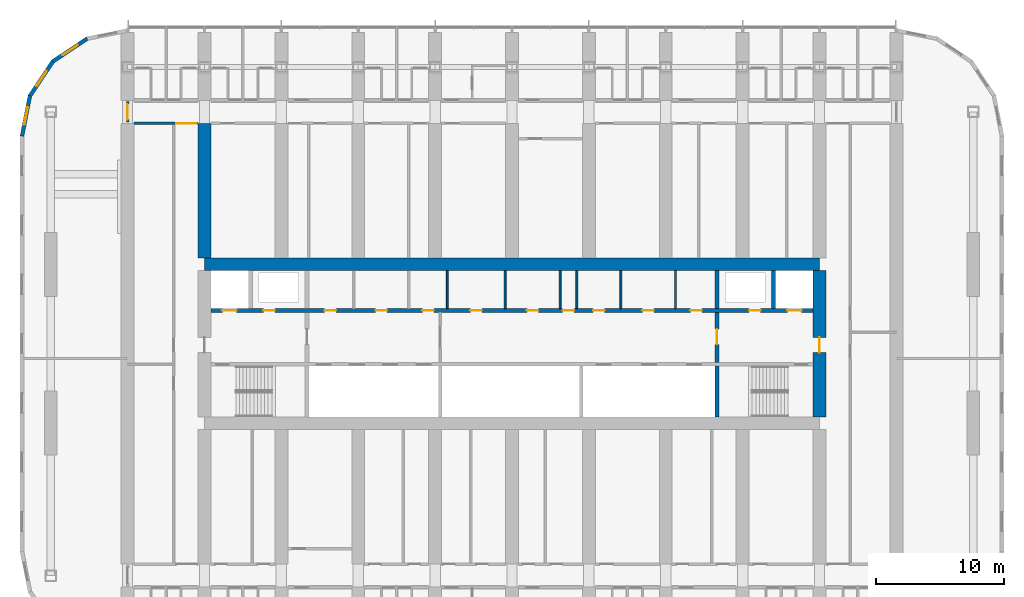
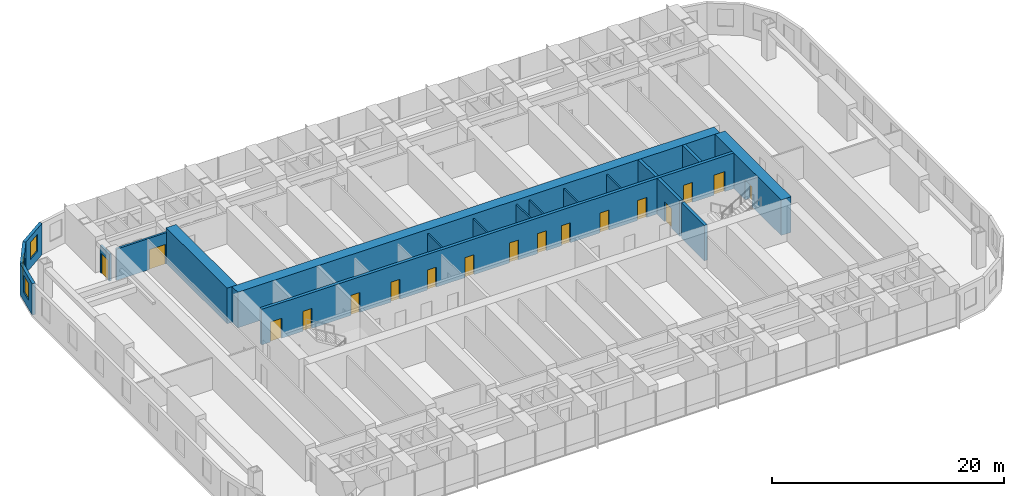
# One storey, part 14 of 24: 19 walls, 17 doors, 3 windows, 20 openings.
"""IFC4 building model written with IfcOpenShell, lengths in metres."""

from ifc_helpers import new_model, si_unit, direction, frame, frame_2d, origin, place, context, subcontext, project, spatial, polyline, rectangle, outline, extrude, material, layer, layer_set, type_object, element, fill, save


model = new_model("IFC4")

# Units and contexts
model_context = context("Model", 3, precision=1e-05, world=origin(), true_north=direction((0.0, 1.0)))
body_context = subcontext(model_context, "Body", "Model", "MODEL_VIEW")
ifc_project = project(units=[si_unit("LENGTHUNIT", "METRE"), si_unit("AREAUNIT", "SQUARE_METRE"), si_unit("VOLUMEUNIT", "CUBIC_METRE"), si_unit("PLANEANGLEUNIT", "RADIAN"), si_unit("MASSUNIT", "GRAM", prefix="KILO")], contexts=[model_context])

# Site, building, storey
site_placement = place(None, origin())
site = spatial("IfcSite", under=ifc_project, at=site_placement, CompositionType="ELEMENT")
building_placement = place(site_placement, origin())
building = spatial("IfcBuilding", under=site, at=building_placement, Name="Orbita Commons", CompositionType="ELEMENT")
storey_placement = place(building_placement, frame((0.0, 0.0, 20.199951171875)))
storey = spatial("IfcBuildingStorey", under=building, at=storey_placement, Name="L04", CompositionType="ELEMENT", Elevation=20.199951171875)

# Wall, openings, doors
ifc_material_1 = material(Name="Concrete C50/60", Category="concrete")
ifc_layer_1 = layer(ifc_material_1, 0.300048828125)
ifc_layer_set_1 = layer_set([ifc_layer_1], Name="Concrete C50/60")
wall_type_1 = type_object("IfcWallType", Name="Core inner wall 300 C50/60", PredefinedType="SHEAR", material=ifc_layer_set_1)
wall_1_placement = place(storey_placement, frame((18.5, 34.60009765625, 0.0), z_axis=(0.0, 0.0, 1.0), x_axis=(1.0, 0.0, 0.0)))
wall_1 = element("IfcWall", 1, at=wall_1_placement, inside=storey, type_object=wall_type_1, Name="Lobby wall north L04", PredefinedType="SHEAR", context=body_context, shape_type="SweptSolid", body=[
    extrude(rectangle(XDim=47.0, YDim=0.300048828125, at=frame_2d((23.5, 0.0))), origin(), (0.0, 0.0, 1.0), 3.75),
])
opening_1_placement = place(wall_1_placement, frame((0.89990234375, 0.0, 0.0)))
opening_1 = element("IfcOpeningElement", 2, at=opening_1_placement, cuts=wall_1, Name="Opening LD01", PredefinedType="OPENING", context=body_context, shape_type="SweptSolid", body=[
    extrude(rectangle(XDim=1.10009765625, YDim=2.10009765625, at=frame_2d((0.550048828125, 1.050048828125))), frame((0.0, 0.159912109375, 0.0), z_axis=(0.0, -1.0, 0.0), x_axis=(1.0, 0.0, 0.0)), (0.0, 0.0, 1.0), 0.320068359375),
])
opening_2_placement = place(wall_1_placement, frame((45.0, 0.0, 0.0)))
opening_2 = element("IfcOpeningElement", 3, at=opening_2_placement, cuts=wall_1, Name="Opening LD01", PredefinedType="OPENING", context=body_context, shape_type="SweptSolid", body=[
    extrude(rectangle(XDim=1.10009765625, YDim=2.10009765625, at=frame_2d((0.550048828125, 1.050048828125))), frame((0.0, 0.159912109375, 0.0), z_axis=(0.0, -1.0, 0.0), x_axis=(1.0, 0.0, 0.0)), (0.0, 0.0, 1.0), 0.320068359375),
])
opening_3_placement = place(wall_1_placement, frame((4.10009765625, 0.0, 0.0)))
opening_3 = element("IfcOpeningElement", 4, at=opening_3_placement, cuts=wall_1, Name="Opening D03", PredefinedType="OPENING", context=body_context, shape_type="SweptSolid", body=[
    extrude(rectangle(XDim=0.89990234375, YDim=2.10009765625, at=frame_2d((0.449951171875, 1.050048828125))), frame((0.0, 0.159912109375, 0.0), z_axis=(0.0, -1.0, 0.0), x_axis=(1.0, 0.0, 0.0)), (0.0, 0.0, 1.0), 0.320068359375),
])
opening_4_placement = place(wall_1_placement, frame((42.0, 0.0, 0.0)))
opening_4 = element("IfcOpeningElement", 5, at=opening_4_placement, cuts=wall_1, Name="Opening D03", PredefinedType="OPENING", context=body_context, shape_type="SweptSolid", body=[
    extrude(rectangle(XDim=0.89990234375, YDim=2.10009765625, at=frame_2d((0.449951171875, 1.050048828125))), frame((0.0, 0.159912109375, 0.0), z_axis=(0.0, -1.0, 0.0), x_axis=(1.0, 0.0, 0.0)), (0.0, 0.0, 1.0), 0.320068359375),
])
opening_5_placement = place(wall_1_placement, frame((8.87548828125, 0.0, 0.0)))
opening_5 = element("IfcOpeningElement", 6, at=opening_5_placement, cuts=wall_1, Name="Opening D05", PredefinedType="OPENING", context=body_context, shape_type="SweptSolid", body=[
    extrude(rectangle(XDim=0.89990234375, YDim=2.10009765625, at=frame_2d((0.449951171875, 1.050048828125))), frame((0.0, 0.159912109375, 0.0), z_axis=(0.0, -1.0, 0.0), x_axis=(1.0, 0.0, 0.0)), (0.0, 0.0, 1.0), 0.320068359375),
])
opening_6_placement = place(wall_1_placement, frame((12.8486328125, 0.0, 0.0)))
opening_6 = element("IfcOpeningElement", 7, at=opening_6_placement, cuts=wall_1, Name="Opening D03", PredefinedType="OPENING", context=body_context, shape_type="SweptSolid", body=[
    extrude(rectangle(XDim=0.89990234375, YDim=2.10009765625, at=frame_2d((0.449951171875, 1.050048828125))), frame((0.0, 0.159912109375, 0.0), z_axis=(0.0, -1.0, 0.0), x_axis=(1.0, 0.0, 0.0)), (0.0, 0.0, 1.0), 0.320068359375),
])
opening_7_placement = place(wall_1_placement, frame((16.496337890625, 0.0, 0.0)))
opening_7 = element("IfcOpeningElement", 8, at=opening_7_placement, cuts=wall_1, Name="Opening D03", PredefinedType="OPENING", context=body_context, shape_type="SweptSolid", body=[
    extrude(rectangle(XDim=0.89990234375, YDim=2.10009765625, at=frame_2d((0.449951171875, 1.050048828125))), frame((0.0, 0.159912109375, 0.0), z_axis=(0.0, -1.0, 0.0), x_axis=(1.0, 0.0, 0.0)), (0.0, 0.0, 1.0), 0.320068359375),
])
opening_8_placement = place(wall_1_placement, frame((20.254638671875, 0.0, 0.0)))
opening_8 = element("IfcOpeningElement", 9, at=opening_8_placement, cuts=wall_1, Name="Opening D03", PredefinedType="OPENING", context=body_context, shape_type="SweptSolid", body=[
    extrude(rectangle(XDim=0.89990234375, YDim=2.10009765625, at=frame_2d((0.449951171875, 1.050048828125))), frame((0.0, 0.159912109375, 0.0), z_axis=(0.0, -1.0, 0.0), x_axis=(1.0, 0.0, 0.0)), (0.0, 0.0, 1.0), 0.320068359375),
])
opening_9_placement = place(wall_1_placement, frame((24.66064453125, 0.0, 0.0)))
opening_9 = element("IfcOpeningElement", 10, at=opening_9_placement, cuts=wall_1, Name="Opening D03", PredefinedType="OPENING", context=body_context, shape_type="SweptSolid", body=[
    extrude(rectangle(XDim=0.89990234375, YDim=2.10009765625, at=frame_2d((0.449951171875, 1.050048828125))), frame((0.0, 0.159912109375, 0.0), z_axis=(0.0, -1.0, 0.0), x_axis=(1.0, 0.0, 0.0)), (0.0, 0.0, 1.0), 0.320068359375),
])
opening_10_placement = place(wall_1_placement, frame((27.45849609375, 0.0, 0.0)))
opening_10 = element("IfcOpeningElement", 11, at=opening_10_placement, cuts=wall_1, Name="Opening D03", PredefinedType="OPENING", context=body_context, shape_type="SweptSolid", body=[
    extrude(rectangle(XDim=0.89990234375, YDim=2.10009765625, at=frame_2d((0.449951171875, 1.050048828125))), frame((0.0, 0.159912109375, 0.0), z_axis=(0.0, -1.0, 0.0), x_axis=(1.0, 0.0, 0.0)), (0.0, 0.0, 1.0), 0.320068359375),
])
opening_11_placement = place(wall_1_placement, frame((29.830810546875, 0.0, 0.0)))
opening_11 = element("IfcOpeningElement", 12, at=opening_11_placement, cuts=wall_1, Name="Opening D03", PredefinedType="OPENING", context=body_context, shape_type="SweptSolid", body=[
    extrude(rectangle(XDim=0.89990234375, YDim=2.10009765625, at=frame_2d((0.449951171875, 1.050048828125))), frame((0.0, 0.159912109375, 0.0), z_axis=(0.0, -1.0, 0.0), x_axis=(1.0, 0.0, 0.0)), (0.0, 0.0, 1.0), 0.320068359375),
])
opening_12_placement = place(wall_1_placement, frame((33.680419921875, 0.0, 0.0)))
opening_12 = element("IfcOpeningElement", 13, at=opening_12_placement, cuts=wall_1, Name="Opening D05", PredefinedType="OPENING", context=body_context, shape_type="SweptSolid", body=[
    extrude(rectangle(XDim=0.89990234375, YDim=2.10009765625, at=frame_2d((0.449951171875, 1.050048828125))), frame((0.0, 0.159912109375, 0.0), z_axis=(0.0, -1.0, 0.0), x_axis=(1.0, 0.0, 0.0)), (0.0, 0.0, 1.0), 0.320068359375),
])
opening_13_placement = place(wall_1_placement, frame((37.428955078125, 0.0, 0.0)))
opening_13 = element("IfcOpeningElement", 14, at=opening_13_placement, cuts=wall_1, Name="Opening D03", PredefinedType="OPENING", context=body_context, shape_type="SweptSolid", body=[
    extrude(rectangle(XDim=0.89990234375, YDim=2.10009765625, at=frame_2d((0.449951171875, 1.050048828125))), frame((0.0, 0.159912109375, 0.0), z_axis=(0.0, -1.0, 0.0), x_axis=(1.0, 0.0, 0.0)), (0.0, 0.0, 1.0), 0.320068359375),
])
ifc_material_2 = material(Name="Steel-faced fire door leaf", Category="steel")
door_type_1 = type_object("IfcDoorType", Name="Firefighting lift landing door 1100x2100", OperationType="DOUBLE_DOOR_SLIDING", PredefinedType="DOOR", material=ifc_material_2)
door_1_placement = place(opening_1_placement, origin())
door_1 = element("IfcDoor", 15, at=door_1_placement, inside=storey, type_object=door_type_1, Name="Firefighting lift FL1 landing door", OperationType="DOUBLE_DOOR_SLIDING", OverallHeight=2.10009765625, OverallWidth=1.10009765625, PredefinedType="DOOR", context=body_context, shape_type="SweptSolid", body=[
    extrude(rectangle(XDim=1.10009765625, YDim=2.10009765625, at=frame_2d((0.550048828125, 1.050048828125))), frame((0.0, 0.02490234375, 0.0), z_axis=(0.0, -1.0, 0.0), x_axis=(1.0, 0.0, 0.0)), (0.0, 0.0, 1.0), 0.050048828125),
])
fill(opening_1, door_1)
door_2_placement = place(opening_2_placement, origin())
door_2 = element("IfcDoor", 16, at=door_2_placement, inside=storey, type_object=door_type_1, Name="Firefighting lift FL2 landing door", OperationType="DOUBLE_DOOR_SLIDING", OverallHeight=2.10009765625, OverallWidth=1.10009765625, PredefinedType="DOOR", context=body_context, shape_type="SweptSolid", body=[
    extrude(rectangle(XDim=1.10009765625, YDim=2.10009765625, at=frame_2d((0.550048828125, 1.050048828125))), frame((0.0, 0.02490234375, 0.0), z_axis=(0.0, -1.0, 0.0), x_axis=(1.0, 0.0, 0.0)), (0.0, 0.0, 1.0), 0.050048828125),
])
fill(opening_2, door_2)
ifc_material_3 = material(Name="Steel-faced fire door leaf", Category="steel")
door_type_2 = type_object("IfcDoorType", Name="Service door 20 min 900x2100", OperationType="SINGLE_SWING_LEFT", PredefinedType="DOOR", material=ifc_material_3)
door_3_placement = place(opening_5_placement, origin())
door_3 = element("IfcDoor", 17, at=door_3_placement, inside=storey, type_object=door_type_2, Name="Accessible WC door", OperationType="SINGLE_SWING_LEFT", OverallHeight=2.10009765625, OverallWidth=0.89990234375, PredefinedType="DOOR", context=body_context, shape_type="SweptSolid", body=[
    extrude(rectangle(XDim=0.89990234375, YDim=2.10009765625, at=frame_2d((0.449951171875, 1.050048828125))), frame((0.0, 0.02490234375, 0.0), z_axis=(0.0, -1.0, 0.0), x_axis=(1.0, 0.0, 0.0)), (0.0, 0.0, 1.0), 0.050048828125),
])
fill(opening_5, door_3)
door_4_placement = place(opening_12_placement, origin())
door_4 = element("IfcDoor", 18, at=door_4_placement, inside=storey, type_object=door_type_2, Name="Guest pantry door", OperationType="SINGLE_SWING_LEFT", OverallHeight=2.10009765625, OverallWidth=0.89990234375, PredefinedType="DOOR", context=body_context, shape_type="SweptSolid", body=[
    extrude(rectangle(XDim=0.89990234375, YDim=2.10009765625, at=frame_2d((0.449951171875, 1.050048828125))), frame((0.0, 0.02490234375, 0.0), z_axis=(0.0, -1.0, 0.0), x_axis=(1.0, 0.0, 0.0)), (0.0, 0.0, 1.0), 0.050048828125),
])
fill(opening_12, door_4)
ifc_material_4 = material(Name="Steel-faced fire door leaf", Category="steel")
door_type_3 = type_object("IfcDoorType", Name="Shaft access door 90 min 900x2100", OperationType="SINGLE_SWING_LEFT", PredefinedType="DOOR", material=ifc_material_4)
door_5_placement = place(opening_3_placement, origin())
door_5 = element("IfcDoor", 19, at=door_5_placement, inside=storey, type_object=door_type_3, Name="Riser door west", OperationType="SINGLE_SWING_LEFT", OverallHeight=2.10009765625, OverallWidth=0.89990234375, PredefinedType="DOOR", context=body_context, shape_type="SweptSolid", body=[
    extrude(rectangle(XDim=0.89990234375, YDim=2.10009765625, at=frame_2d((0.449951171875, 1.050048828125))), frame((0.0, 0.02490234375, 0.0), z_axis=(0.0, -1.0, 0.0), x_axis=(1.0, 0.0, 0.0)), (0.0, 0.0, 1.0), 0.050048828125),
])
fill(opening_3, door_5)
door_6_placement = place(opening_4_placement, origin())
door_6 = element("IfcDoor", 20, at=door_6_placement, inside=storey, type_object=door_type_3, Name="Riser door east", OperationType="SINGLE_SWING_LEFT", OverallHeight=2.10009765625, OverallWidth=0.89990234375, PredefinedType="DOOR", context=body_context, shape_type="SweptSolid", body=[
    extrude(rectangle(XDim=0.89990234375, YDim=2.10009765625, at=frame_2d((0.449951171875, 1.050048828125))), frame((0.0, 0.02490234375, 0.0), z_axis=(0.0, -1.0, 0.0), x_axis=(1.0, 0.0, 0.0)), (0.0, 0.0, 1.0), 0.050048828125),
])
fill(opening_4, door_6)
door_7_placement = place(opening_6_placement, origin())
door_7 = element("IfcDoor", 21, at=door_7_placement, inside=storey, type_object=door_type_3, Name="Refuse chute room door", OperationType="SINGLE_SWING_LEFT", OverallHeight=2.10009765625, OverallWidth=0.89990234375, PredefinedType="DOOR", context=body_context, shape_type="SweptSolid", body=[
    extrude(rectangle(XDim=0.89990234375, YDim=2.10009765625, at=frame_2d((0.449951171875, 1.050048828125))), frame((0.0, 0.02490234375, 0.0), z_axis=(0.0, -1.0, 0.0), x_axis=(1.0, 0.0, 0.0)), (0.0, 0.0, 1.0), 0.050048828125),
])
fill(opening_6, door_7)
door_8_placement = place(opening_7_placement, origin())
door_8 = element("IfcDoor", 22, at=door_8_placement, inside=storey, type_object=door_type_3, Name="Electrical riser room door", OperationType="SINGLE_SWING_LEFT", OverallHeight=2.10009765625, OverallWidth=0.89990234375, PredefinedType="DOOR", context=body_context, shape_type="SweptSolid", body=[
    extrude(rectangle(XDim=0.89990234375, YDim=2.10009765625, at=frame_2d((0.449951171875, 1.050048828125))), frame((0.0, 0.02490234375, 0.0), z_axis=(0.0, -1.0, 0.0), x_axis=(1.0, 0.0, 0.0)), (0.0, 0.0, 1.0), 0.050048828125),
])
fill(opening_7, door_8)
door_9_placement = place(opening_8_placement, origin())
door_9 = element("IfcDoor", 23, at=door_9_placement, inside=storey, type_object=door_type_3, Name="Storage room door", OperationType="SINGLE_SWING_LEFT", OverallHeight=2.10009765625, OverallWidth=0.89990234375, PredefinedType="DOOR", context=body_context, shape_type="SweptSolid", body=[
    extrude(rectangle(XDim=0.89990234375, YDim=2.10009765625, at=frame_2d((0.449951171875, 1.050048828125))), frame((0.0, 0.02490234375, 0.0), z_axis=(0.0, -1.0, 0.0), x_axis=(1.0, 0.0, 0.0)), (0.0, 0.0, 1.0), 0.050048828125),
])
fill(opening_8, door_9)
door_10_placement = place(opening_9_placement, origin())
door_10 = element("IfcDoor", 24, at=door_10_placement, inside=storey, type_object=door_type_3, Name="Communications room door", OperationType="SINGLE_SWING_LEFT", OverallHeight=2.10009765625, OverallWidth=0.89990234375, PredefinedType="DOOR", context=body_context, shape_type="SweptSolid", body=[
    extrude(rectangle(XDim=0.89990234375, YDim=2.10009765625, at=frame_2d((0.449951171875, 1.050048828125))), frame((0.0, 0.02490234375, 0.0), z_axis=(0.0, -1.0, 0.0), x_axis=(1.0, 0.0, 0.0)), (0.0, 0.0, 1.0), 0.050048828125),
])
fill(opening_9, door_10)
door_11_placement = place(opening_10_placement, origin())
door_11 = element("IfcDoor", 25, at=door_11_placement, inside=storey, type_object=door_type_3, Name="Stair pressurisation duct door", OperationType="SINGLE_SWING_LEFT", OverallHeight=2.10009765625, OverallWidth=0.89990234375, PredefinedType="DOOR", context=body_context, shape_type="SweptSolid", body=[
    extrude(rectangle(XDim=0.89990234375, YDim=2.10009765625, at=frame_2d((0.449951171875, 1.050048828125))), frame((0.0, 0.02490234375, 0.0), z_axis=(0.0, -1.0, 0.0), x_axis=(1.0, 0.0, 0.0)), (0.0, 0.0, 1.0), 0.050048828125),
])
fill(opening_10, door_11)
door_12_placement = place(opening_11_placement, origin())
door_12 = element("IfcDoor", 26, at=door_12_placement, inside=storey, type_object=door_type_3, Name="IT room door", OperationType="SINGLE_SWING_LEFT", OverallHeight=2.10009765625, OverallWidth=0.89990234375, PredefinedType="DOOR", context=body_context, shape_type="SweptSolid", body=[
    extrude(rectangle(XDim=0.89990234375, YDim=2.10009765625, at=frame_2d((0.449951171875, 1.050048828125))), frame((0.0, 0.02490234375, 0.0), z_axis=(0.0, -1.0, 0.0), x_axis=(1.0, 0.0, 0.0)), (0.0, 0.0, 1.0), 0.050048828125),
])
fill(opening_11, door_12)
door_13_placement = place(opening_13_placement, origin())
door_13 = element("IfcDoor", 27, at=door_13_placement, inside=storey, type_object=door_type_3, Name="Cleaners store door", OperationType="SINGLE_SWING_LEFT", OverallHeight=2.10009765625, OverallWidth=0.89990234375, PredefinedType="DOOR", context=body_context, shape_type="SweptSolid", body=[
    extrude(rectangle(XDim=0.89990234375, YDim=2.10009765625, at=frame_2d((0.449951171875, 1.050048828125))), frame((0.0, 0.02490234375, 0.0), z_axis=(0.0, -1.0, 0.0), x_axis=(1.0, 0.0, 0.0)), (0.0, 0.0, 1.0), 0.050048828125),
])
fill(opening_13, door_13)

# Wall
wall_2_placement = place(storey_placement, frame((58.0, 26.300048828125, 0.0), z_axis=(0.0, 0.0, 1.0), x_axis=(0.0, 1.0, 0.0)))
element("IfcWall", 28, at=wall_2_placement, inside=storey, type_object=wall_type_1, Name="Stair S2 wall L04", PredefinedType="SHEAR", context=body_context, shape_type="SweptSolid", body=[
    extrude(rectangle(XDim=3.949951171875, YDim=0.300048828125, at=frame_2d((1.97509765625, 0.0))), origin(), (0.0, 0.0, 1.0), 3.75),
])

# Wall, opening, door
wall_3_placement = place(storey_placement, frame((58.0, 30.550048828125, 0.0), z_axis=(0.0, 0.0, 1.0), x_axis=(0.0, 1.0, 0.0)))
wall_3 = element("IfcWall", 29, at=wall_3_placement, inside=storey, type_object=wall_type_1, Name="Firefighting lobby wall east L04", PredefinedType="SHEAR", context=body_context, shape_type="SweptSolid", body=[
    extrude(rectangle(XDim=3.89990234375, YDim=0.300048828125, at=frame_2d((1.949951171875, 0.0))), origin(), (0.0, 0.0, 1.0), 3.75),
])
opening_14_placement = place(wall_3_placement, frame((1.39990234375, 0.0, 0.0)))
opening_14 = element("IfcOpeningElement", 30, at=opening_14_placement, cuts=wall_3, Name="Opening D04", PredefinedType="OPENING", context=body_context, shape_type="SweptSolid", body=[
    extrude(rectangle(XDim=1.199951171875, YDim=2.10009765625, at=frame_2d((0.60009765625, 1.050048828125))), frame((0.0, 0.159912109375, 0.0), z_axis=(0.0, -1.0, 0.0), x_axis=(1.0, 0.0, 0.0)), (0.0, 0.0, 1.0), 0.320068359375),
])
ifc_material_5 = material(Name="Steel-faced fire door leaf", Category="steel")
door_type_4 = type_object("IfcDoorType", Name="Service door 20 min 1200x2100", OperationType="SINGLE_SWING_LEFT", PredefinedType="DOOR", material=ifc_material_5)
door_14_placement = place(opening_14_placement, origin())
door_14 = element("IfcDoor", 31, at=door_14_placement, inside=storey, type_object=door_type_4, Name="Lift lobby door east", OperationType="SINGLE_SWING_LEFT", OverallHeight=2.10009765625, OverallWidth=1.199951171875, PredefinedType="DOOR", context=body_context, shape_type="SweptSolid", body=[
    extrude(rectangle(XDim=1.199951171875, YDim=2.10009765625, at=frame_2d((0.60009765625, 1.050048828125))), frame((0.0, 0.02490234375, 0.0), z_axis=(0.0, -1.0, 0.0), x_axis=(1.0, 0.0, 0.0)), (0.0, 0.0, 1.0), 0.050048828125),
])
fill(opening_14, door_14)

# Walls
for number, where, z_axis, x_axis, name in (
    (32, (62.39990234375, 34.75, 0.0), (0.0, 0.0, 1.0), (0.0, 1.0, 0.0), "Firefighting lift FL2 shaft wall L04"),
    (33, (58.0, 34.75, 0.0), (0.0, 0.0, 1.0), (0.0, 1.0, 0.0), "Riser wall east L04"),
):
    element("IfcWall", number, at=place(storey_placement, frame(where, z_axis=z_axis, x_axis=x_axis)), inside=storey, type_object=wall_type_1, Name=name, PredefinedType="SHEAR", context=body_context, shape_type="SweptSolid", body=[
        extrude(rectangle(XDim=2.949951171875, YDim=0.300048828125, at=frame_2d((1.47509765625, 0.0))), origin(), (0.0, 0.0, 1.0), 3.75),
    ])
ifc_material_6 = material(Name="Concrete blockwork", Category="masonry")
ifc_layer_2 = layer(ifc_material_6, 0.14990234375)
ifc_layer_set_2 = layer_set([ifc_layer_2], Name="Concrete blockwork")
wall_type_2 = type_object("IfcWallType", Name="Core partition 150 blockwork", PredefinedType="SOLIDWALL", material=ifc_layer_set_2)
for number, where, z_axis, x_axis, name in (
    (34, (36.9462890625, 34.75, 0.0), (0.0, 0.0, 1.0), (0.0, 1.0, 0.0), "Core partition 150 blockwork L04"),
    (35, (41.463134765625, 34.75, 0.0), (0.0, 0.0, 1.0), (0.0, 1.0, 0.0), "Core partition 150 blockwork L04"),
    (36, (45.75830078125, 34.75, 0.0), (0.0, 0.0, 1.0), (0.0, 1.0, 0.0), "Core partition 150 blockwork L04"),
    (37, (47.058349609375, 34.75, 0.0), (0.0, 0.0, 1.0), (0.0, 1.0, 0.0), "Core partition 150 blockwork L04"),
    (38, (50.5029296875, 34.75, 0.0), (0.0, 0.0, 1.0), (0.0, 1.0, 0.0), "Core partition 150 blockwork L04"),
    (39, (54.758056640625, 34.75, 0.0), (0.0, 0.0, 1.0), (0.0, 1.0, 0.0), "Core partition 150 blockwork L04"),
):
    element("IfcWall", number, at=place(storey_placement, frame(where, z_axis=z_axis, x_axis=x_axis)), inside=storey, type_object=wall_type_2, Name=name, PredefinedType="SOLIDWALL", context=body_context, shape_type="SweptSolid", body=[
        extrude(rectangle(XDim=2.949951171875, YDim=0.14990234375, at=frame_2d((1.47509765625, 0.0))), origin(), (0.0, 0.0, 1.0), 3.300048828125),
    ])
ifc_material_7 = material(Name="Concrete C50/60", Category="concrete")
ifc_layer_3 = layer(ifc_material_7, 1.0)
ifc_layer_set_3 = layer_set([ifc_layer_3], Name="Concrete C50/60")
wall_type_3 = type_object("IfcWallType", Name="Core wall 1000 C50/60", PredefinedType="SHEAR", material=ifc_layer_set_3)
wall_4_placement = place(storey_placement, frame((18.0, 38.199951171875, 0.0), z_axis=(0.0, 0.0, 1.0), x_axis=(1.0, 0.0, 0.0)))
element("IfcWall", 40, at=wall_4_placement, inside=storey, type_object=wall_type_3, Name="Core spine wall north L04", PredefinedType="SHEAR", context=body_context, shape_type="SweptSolid", body=[
    extrude(rectangle(XDim=48.0, YDim=1.0, at=frame_2d((24.0, 0.0))), origin(), (0.0, 0.0, 1.0), 3.75),
])

# Wall, opening, door
wall_5_placement = place(storey_placement, frame((66.0, 26.300048828125, 0.0), z_axis=(0.0, 0.0, 1.0), x_axis=(0.0, 1.0, 0.0)))
wall_5 = element("IfcWall", 41, at=wall_5_placement, inside=storey, type_object=wall_type_3, Name="Core end wall east L04", PredefinedType="SHEAR", context=body_context, shape_type="SweptSolid", body=[
    extrude(rectangle(XDim=11.39990234375, YDim=1.0, at=frame_2d((5.699951171875, 0.0))), origin(), (0.0, 0.0, 1.0), 3.75),
])
opening_15_placement = place(wall_5_placement, frame((5.0, 0.0, 0.0)))
opening_15 = element("IfcOpeningElement", 42, at=opening_15_placement, cuts=wall_5, Name="Opening D01", PredefinedType="OPENING", context=body_context, shape_type="SweptSolid", body=[
    extrude(rectangle(XDim=1.199951171875, YDim=2.10009765625, at=frame_2d((0.60009765625, 1.050048828125))), frame((0.0, 0.510009765625, 0.0), z_axis=(0.0, -1.0, 0.0), x_axis=(1.0, 0.0, 0.0)), (0.0, 0.0, 1.0), 1.02001953125),
])
ifc_material_8 = material(Name="Steel-faced fire door leaf", Category="steel")
door_type_5 = type_object("IfcDoorType", Name="Fire door 90 min 1200x2100", OperationType="SINGLE_SWING_LEFT", PredefinedType="DOOR", material=ifc_material_8)
door_15_placement = place(opening_15_placement, origin())
door_15 = element("IfcDoor", 43, at=door_15_placement, inside=storey, type_object=door_type_5, Name="Firefighting lobby east door", OperationType="SINGLE_SWING_LEFT", OverallHeight=2.10009765625, OverallWidth=1.199951171875, PredefinedType="DOOR", context=body_context, shape_type="SweptSolid", body=[
    extrude(rectangle(XDim=1.199951171875, YDim=2.10009765625, at=frame_2d((0.60009765625, 1.050048828125))), frame((0.0, 0.02490234375, 0.0), z_axis=(0.0, -1.0, 0.0), x_axis=(1.0, 0.0, 0.0)), (0.0, 0.0, 1.0), 0.050048828125),
])
fill(opening_15, door_15)

ifc_material_9 = material(Name="Concrete blockwork", Category="masonry")
ifc_layer_4 = layer(ifc_material_9, 0.199951171875)
ifc_layer_set_4 = layer_set([ifc_layer_4], Name="Concrete blockwork")
wall_type_4 = type_object("IfcWallType", Name="Corridor wall 200 blockwork", PredefinedType="SOLIDWALL", material=ifc_layer_set_4)
wall_6_placement = place(storey_placement, frame((12.0, 49.300048828125, 0.0), z_axis=(0.0, 0.0, 1.0), x_axis=(0.0, 1.0, 0.0)))
wall_6 = element("IfcWall", 44, at=wall_6_placement, inside=storey, type_object=wall_type_4, Name="Corridor wall 200 blockwork L04", PredefinedType="SOLIDWALL", context=body_context, shape_type="SweptSolid", body=[
    extrude(outline(polyline([(0.0, 0.0), (1.599853515625, 0.0), (1.60009765625, 2.85009765625), (0.0, 2.85009765625), (0.0, 0.0)])), frame((0.0, 0.10009765625, 0.0), z_axis=(0.0, -1.0, 0.0), x_axis=(1.0, 0.0, 0.0)), (0.0, 0.0, 1.0), 0.199951171875),
])
opening_16_placement = place(wall_6_placement, frame((0.199951171875, 0.0, 0.0)))
opening_16 = element("IfcOpeningElement", 45, at=opening_16_placement, cuts=wall_6, Name="Opening D12", PredefinedType="OPENING", context=body_context, shape_type="SweptSolid", body=[
    extrude(rectangle(XDim=1.199951171875, YDim=2.10009765625, at=frame_2d((0.60009765625, 1.050048828125))), frame((0.0, 0.10986328125, 0.0), z_axis=(0.0, -1.0, 0.0), x_axis=(1.0, 0.0, 0.0)), (0.0, 0.0, 1.0), 0.219970703125),
])
ifc_material_10 = material(Name="Steel-faced fire door leaf", Category="steel")
door_type_6 = type_object("IfcDoorType", Name="Double corridor door 20 min 1200x2100", OperationType="DOUBLE_DOOR_SINGLE_SWING", PredefinedType="DOOR", material=ifc_material_10)
door_16_placement = place(opening_16_placement, origin())
door_16 = element("IfcDoor", 46, at=door_16_placement, inside=storey, type_object=door_type_6, Name="Lounge doors", OperationType="DOUBLE_DOOR_SINGLE_SWING", OverallHeight=2.10009765625, OverallWidth=1.199951171875, PredefinedType="DOOR", context=body_context, shape_type="SweptSolid", body=[
    extrude(rectangle(XDim=1.199951171875, YDim=2.10009765625, at=frame_2d((0.60009765625, 1.050048828125))), frame((0.0, 0.02490234375, 0.0), z_axis=(0.0, -1.0, 0.0), x_axis=(1.0, 0.0, 0.0)), (0.0, 0.0, 1.0), 0.050048828125),
])
fill(opening_16, door_16)

ifc_material_11 = material(Name="Hollow concrete block 200", Category="concrete")
ifc_layer_5 = layer(ifc_material_11, 0.199951171875)
ifc_layer_set_5 = layer_set([ifc_layer_5], Name="Hollow concrete block 200")
wall_type_5 = type_object("IfcWallType", Name="Corridor wall 200 hollow concrete block", PredefinedType="SOLIDWALL", material=ifc_layer_set_5)
wall_7_placement = place(storey_placement, frame((12.5, 49.199951171875, 0.0), z_axis=(0.0, 0.0, 1.0), x_axis=(1.0, 0.0, 0.0)))
wall_7 = element("IfcWall", 47, at=wall_7_placement, inside=storey, type_object=wall_type_5, Name="Corridor wall 200 hollow concrete block L04", PredefinedType="SOLIDWALL", context=body_context, shape_type="SweptSolid", body=[
    extrude(rectangle(XDim=5.0, YDim=0.199951171875, at=frame_2d((2.5, 0.0))), origin(), (0.0, 0.0, 1.0), 3.300048828125),
])
opening_17_placement = place(wall_7_placement, frame((3.300048828125, 0.0, 0.0)))
opening_17 = element("IfcOpeningElement", 48, at=opening_17_placement, cuts=wall_7, Name="Opening D10", PredefinedType="OPENING", context=body_context, shape_type="SweptSolid", body=[
    extrude(rectangle(XDim=1.60009765625, YDim=2.10009765625, at=frame_2d((0.800048828125, 1.050048828125))), frame((0.0, 0.10986328125, 0.0), z_axis=(0.0, -1.0, 0.0), x_axis=(1.0, 0.0, 0.0)), (0.0, 0.0, 1.0), 0.219970703125),
])
ifc_material_12 = material(Name="Steel-faced fire door leaf", Category="steel")
door_type_7 = type_object("IfcDoorType", Name="Double corridor door 20 min 1600x2100", OperationType="DOUBLE_DOOR_SINGLE_SWING", PredefinedType="DOOR", material=ifc_material_12)
door_17_placement = place(opening_17_placement, origin())
door_17 = element("IfcDoor", 49, at=door_17_placement, inside=storey, type_object=door_type_7, Name="Cross corridor doors", OperationType="DOUBLE_DOOR_SINGLE_SWING", OverallHeight=2.10009765625, OverallWidth=1.60009765625, PredefinedType="DOOR", context=body_context, shape_type="SweptSolid", body=[
    extrude(rectangle(XDim=1.60009765625, YDim=2.10009765625, at=frame_2d((0.800048828125, 1.050048828125))), frame((0.0, 0.02490234375, 0.0), z_axis=(0.0, -1.0, 0.0), x_axis=(1.0, 0.0, 0.0)), (0.0, 0.0, 1.0), 0.050048828125),
])
fill(opening_17, door_17)

# Wall
ifc_material_13 = material(Name="Concrete C50/60", Category="concrete")
ifc_layer_6 = layer(ifc_material_13, 1.0)
ifc_layer_set_6 = layer_set([ifc_layer_6], Name="Concrete C50/60")
wall_type_6 = type_object("IfcWallType", Name="Cross wall 1000 C50/60", PredefinedType="SHEAR", material=ifc_layer_set_6)
wall_8_placement = place(storey_placement, frame((18.0, 38.699951171875, 0.0), z_axis=(0.0, 0.0, 1.0), x_axis=(0.0, 1.0, 0.0)))
element("IfcWall", 50, at=wall_8_placement, inside=storey, type_object=wall_type_6, Name="Cross wall 4 north inner L04", PredefinedType="SHEAR", context=body_context, shape_type="SweptSolid", body=[
    extrude(rectangle(XDim=10.5, YDim=1.0, at=frame_2d((5.25, 0.0))), origin(), (0.0, 0.0, 1.0), 3.75),
])

# Wall, opening, window
ifc_material_14 = material(Name="Precast concrete C40/50, white board-marked finish", Category="concrete")
ifc_layer_7 = layer(ifc_material_14, 0.300048828125)
ifc_layer_set_7 = layer_set([ifc_layer_7], Name="Precast concrete C40/50, white board-marked finish")
wall_type_7 = type_object("IfcWallType", Name="Precast concrete end shield 300", PredefinedType="SOLIDWALL", material=ifc_layer_set_7)
wall_9_placement = place(storey_placement, frame((8.843017578125, 55.822021484375, 0.0), z_axis=(0.0, 0.0, 1.0), x_axis=(-0.831478105043, -0.555557522525, 0.0)))
wall_9 = element("IfcWall", 51, at=wall_9_placement, inside=storey, type_object=wall_type_7, Name="End shield NW chord 2 L04", PredefinedType="SOLIDWALL", context=body_context, shape_type="SweptSolid", body=[
    extrude(outline(polyline([(-0.02978515625, -0.14990234375), (3.248779296875, -0.14990234375), (3.189208984375, 0.14990234375), (0.02978515625, 0.14990234375), (-0.02978515625, -0.14990234375)])), origin(), (0.0, 0.0, 1.0), 3.300048828125),
])
opening_18_placement = place(wall_9_placement, frame((0.909423828125, 0.0, 0.89990234375)))
opening_18 = element("IfcOpeningElement", 52, at=opening_18_placement, cuts=wall_9, Name="Opening W02", PredefinedType="OPENING", context=body_context, shape_type="SweptSolid", body=[
    extrude(rectangle(XDim=1.39990234375, YDim=1.800048828125, at=frame_2d((0.699951171875, 0.89990234375))), frame((0.0, 0.159912109375, 0.0), z_axis=(0.0, -1.0, 0.0), x_axis=(1.0, 0.0, 0.0)), (0.0, 0.0, 1.0), 0.320068359375),
])
ifc_material_15 = material(Name="Aluminium frame, clear double glazing", Category="aluminium")
window_type = type_object("IfcWindowType", Name="Deep-set window 1400x1800", PartitioningType="SINGLE_PANEL", PredefinedType="WINDOW", material=ifc_material_15)
window_1_placement = place(opening_18_placement, origin())
window_1 = element("IfcWindow", 53, at=window_1_placement, inside=storey, type_object=window_type, Name="Window L04-NW1", OverallHeight=1.800048828125, OverallWidth=1.39990234375, PartitioningType="SINGLE_PANEL", PredefinedType="WINDOW", context=body_context, shape_type="SweptSolid", body=[
    extrude(rectangle(XDim=1.39990234375, YDim=1.800048828125, at=frame_2d((0.699951171875, 0.89990234375))), frame((0.0, 0.030029296875, 0.0), z_axis=(0.0, -1.0, 0.0), x_axis=(1.0, 0.0, 0.0)), (0.0, 0.0, 1.0), 0.06005859375),
])
fill(opening_18, window_1)

wall_10_placement = place(storey_placement, frame((6.16650390625, 54.03369140625, 0.0), z_axis=(0.0, 0.0, 1.0), x_axis=(-0.555609954424, -0.831443069936, 0.0)))
wall_10 = element("IfcWall", 54, at=wall_10_placement, inside=storey, type_object=wall_type_7, Name="End shield NW chord 3 L04", PredefinedType="SOLIDWALL", context=body_context, shape_type="SweptSolid", body=[
    extrude(outline(polyline([(-0.02978515625, -0.14990234375), (3.2490234375, -0.14990234375), (3.189453125, 0.14990234375), (0.02978515625, 0.14990234375), (-0.02978515625, -0.14990234375)])), origin(), (0.0, 0.0, 1.0), 3.300048828125),
])
opening_19_placement = place(wall_10_placement, frame((0.909423828125, 0.0, 0.89990234375)))
opening_19 = element("IfcOpeningElement", 55, at=opening_19_placement, cuts=wall_10, Name="Opening W02", PredefinedType="OPENING", context=body_context, shape_type="SweptSolid", body=[
    extrude(rectangle(XDim=1.39990234375, YDim=1.800048828125, at=frame_2d((0.699951171875, 0.89990234375))), frame((0.0, 0.159912109375, 0.0), z_axis=(0.0, -1.0, 0.0), x_axis=(1.0, 0.0, 0.0)), (0.0, 0.0, 1.0), 0.320068359375),
])
window_2_placement = place(opening_19_placement, origin())
window_2 = element("IfcWindow", 56, at=window_2_placement, inside=storey, type_object=window_type, Name="Window L04-NW2", OverallHeight=1.800048828125, OverallWidth=1.39990234375, PartitioningType="SINGLE_PANEL", PredefinedType="WINDOW", context=body_context, shape_type="SweptSolid", body=[
    extrude(rectangle(XDim=1.39990234375, YDim=1.800048828125, at=frame_2d((0.699951171875, 0.89990234375))), frame((0.0, 0.030029296875, 0.0), z_axis=(0.0, -1.0, 0.0), x_axis=(1.0, 0.0, 0.0)), (0.0, 0.0, 1.0), 0.06005859375),
])
fill(opening_19, window_2)

wall_11_placement = place(storey_placement, frame((4.3779296875, 51.357177734375, 0.0), z_axis=(0.0, 0.0, 1.0), x_axis=(-0.195065901187, -0.980790137692, 0.0)))
wall_11 = element("IfcWall", 57, at=wall_11_placement, inside=storey, type_object=wall_type_7, Name="End shield NW chord 4 L04", PredefinedType="SOLIDWALL", context=body_context, shape_type="SweptSolid", body=[
    extrude(outline(polyline([(-0.02978515625, -0.14990234375), (3.23388671875, -0.14990234375), (3.2041015625, 0.14990234375), (0.02978515625, 0.14990234375), (-0.02978515625, -0.14990234375)])), origin(), (0.0, 0.0, 1.0), 3.300048828125),
])
opening_20_placement = place(wall_11_placement, frame((0.909423828125, 0.0, 0.89990234375)))
opening_20 = element("IfcOpeningElement", 58, at=opening_20_placement, cuts=wall_11, Name="Opening W02", PredefinedType="OPENING", context=body_context, shape_type="SweptSolid", body=[
    extrude(rectangle(XDim=1.39990234375, YDim=1.800048828125, at=frame_2d((0.699951171875, 0.89990234375))), frame((0.0, 0.159912109375, 0.0), z_axis=(0.0, -1.0, 0.0), x_axis=(1.0, 0.0, 0.0)), (0.0, 0.0, 1.0), 0.320068359375),
])
window_3_placement = place(opening_20_placement, origin())
window_3 = element("IfcWindow", 59, at=window_3_placement, inside=storey, type_object=window_type, Name="Window L04-NW3", OverallHeight=1.800048828125, OverallWidth=1.39990234375, PartitioningType="SINGLE_PANEL", PredefinedType="WINDOW", context=body_context, shape_type="SweptSolid", body=[
    extrude(rectangle(XDim=1.39990234375, YDim=1.800048828125, at=frame_2d((0.699951171875, 0.89990234375))), frame((0.0, 0.030029296875, 0.0), z_axis=(0.0, -1.0, 0.0), x_axis=(1.0, 0.0, 0.0)), (0.0, 0.0, 1.0), 0.06005859375),
])
fill(opening_20, window_3)

save(model, "model.ifc")
